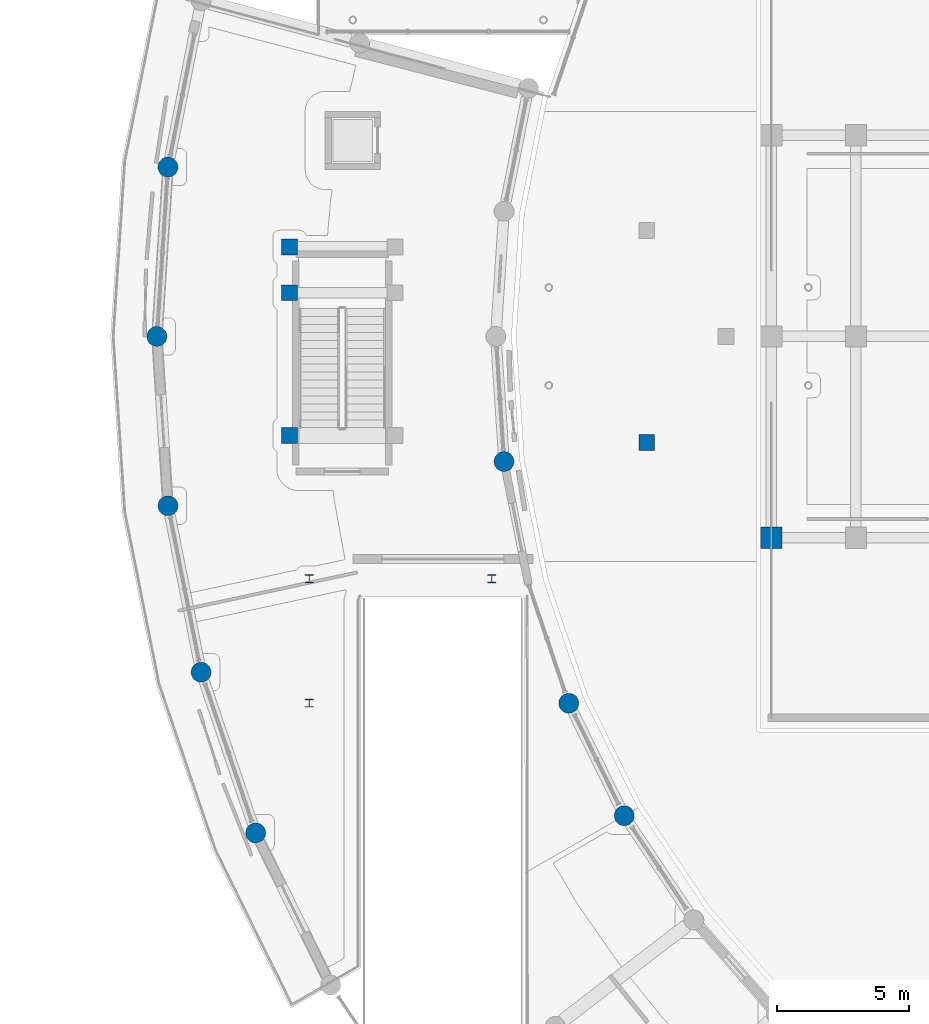
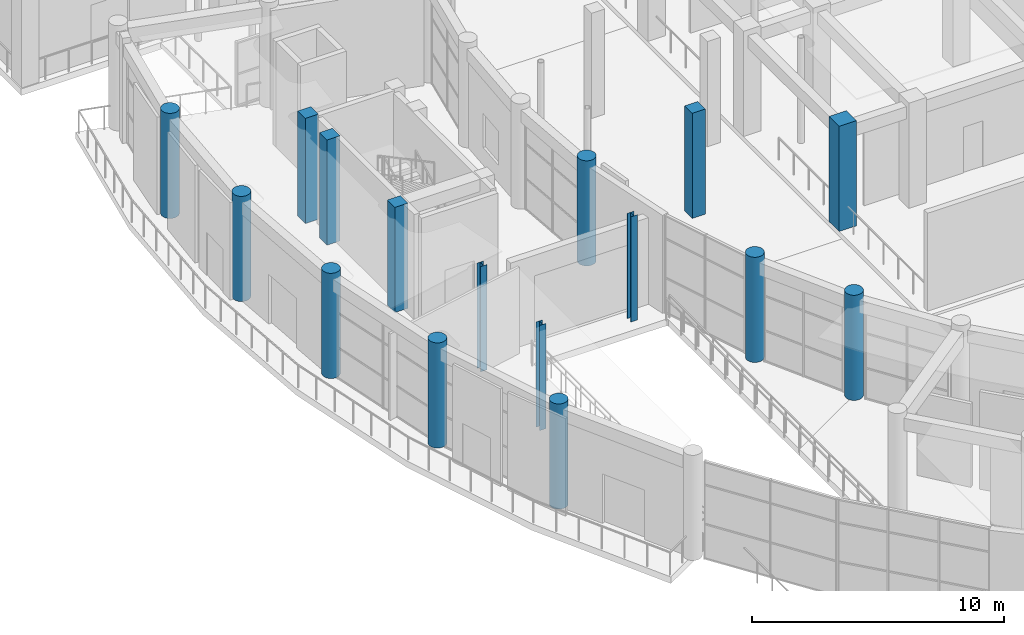
# One storey, part 7 of 99: 16 columns.
"""IFC4 building model written with IfcOpenShell, lengths in metres."""

from ifc_helpers import new_model, si_unit, direction, frame, origin, origin_2d, place, context, subcontext, project, spatial, rectangle, circle, i_section, extrude, material, material_profile, profile_set, type_object, element, save


model = new_model("IFC4")

# Units and contexts
model_context = context("Model", 3, precision=1e-05, world=origin(), true_north=direction((0.0, 1.0)))
body_context = subcontext(model_context, "Body", "Model", "MODEL_VIEW")
ifc_project = project(units=[si_unit("LENGTHUNIT", "METRE"), si_unit("AREAUNIT", "SQUARE_METRE"), si_unit("VOLUMEUNIT", "CUBIC_METRE"), si_unit("PLANEANGLEUNIT", "RADIAN"), si_unit("MASSUNIT", "GRAM", prefix="KILO")], contexts=[model_context])

# Site, building, storey
site_placement = place(None, origin())
site = spatial("IfcSite", under=ifc_project, at=site_placement, CompositionType="ELEMENT")
building_placement = place(site_placement, origin())
building = spatial("IfcBuilding", under=site, at=building_placement, Name="Saryqyr Civic Hall", CompositionType="ELEMENT")
storey_placement = place(building_placement, origin())
storey = spatial("IfcBuildingStorey", under=building, at=storey_placement, Name="L00", CompositionType="ELEMENT", Elevation=0.0)

# Columns
ifc_material_1 = material(Name="Steel S355", Category="steel")
ifc_material_profile_1 = material_profile(ifc_material_1, i_section(OverallWidth=0.300048828125, OverallDepth=0.2900390625, WebThickness=0.008544921875, FlangeThickness=0.013916015625, at=origin_2d()), Name="HEA 300")
ifc_profile_set_1 = profile_set([ifc_material_profile_1], Name="Steel S355")
column_type_1 = type_object("IfcColumnType", Name="STR-COL-HEA300-S355", PredefinedType="COLUMN", material=ifc_profile_set_1)
for number, where, z_axis, x_axis, name in (
    (1, (13.75, 70.14990234375, 0.0), (0.0, 0.0, 1.0), (1.0, 0.0, 0.0), "Column RGV4-COL-1-L00"),
    (2, (20.64990234375, 74.85009765625, 0.0), (0.0, 0.0, 1.0), (1.0, 0.0, 0.0), "Column RGV4-COL-3-L00"),
    (3, (13.75, 74.85009765625, 0.0), (0.0, 0.0, 1.0), (1.0, 0.0, 0.0), "Column RGV4-COL-4-L00"),
):
    element("IfcColumn", number, at=place(storey_placement, frame(where, z_axis=z_axis, x_axis=x_axis)), inside=storey, type_object=column_type_1, Name=name, PredefinedType="COLUMN", context=body_context, shape_type="SweptSolid", body=[
        extrude(i_section(OverallWidth=0.300048828125, OverallDepth=0.2900390625, WebThickness=0.008544921875, FlangeThickness=0.013916015625, at=origin_2d()), origin(), (0.0, 0.0, 1.0), 5.10009765625),
    ])
ifc_material_2 = material(Name="Concrete C40/50", Category="concrete")
ifc_material_profile_2 = material_profile(ifc_material_2, rectangle(XDim=0.60009765625, YDim=0.60009765625, at=origin_2d()), Name="RC 600x600")
ifc_profile_set_2 = profile_set([ifc_material_profile_2], Name="Concrete C40/50")
column_type_2 = type_object("IfcColumnType", Name="STR-COL-RC600-C40", PredefinedType="COLUMN", material=ifc_profile_set_2)
for number, where, z_axis, x_axis, name in (
    (4, (13.010009765625, 80.264892578125, 0.0), (0.0, 0.0, 1.0), (1.0, 0.0, 0.0), "Column ST-4-SCOL-TRMB-L00"),
    (5, (13.010009765625, 85.64990234375, 0.0), (0.0, 0.0, 1.0), (1.0, 0.0, 0.0), "Column ST-4-SCOL-LND1B-L00"),
    (6, (13.010009765625, 87.3798828125, 0.0), (0.0, 0.0, 1.0), (1.0, 0.0, 0.0), "Column ST-4-SCOL-LND2B-L00"),
    (7, (26.5, 80.0, 0.0), (0.0, 0.0, 1.0), (1.0, 0.0, 0.0), "Column V2-XCOL-01-L00"),
):
    element("IfcColumn", number, at=place(storey_placement, frame(where, z_axis=z_axis, x_axis=x_axis)), inside=storey, type_object=column_type_2, Name=name, PredefinedType="COLUMN", context=body_context, shape_type="SweptSolid", body=[
        extrude(rectangle(XDim=0.60009765625, YDim=0.60009765625, at=origin_2d()), origin(), (0.0, 0.0, 1.0), 5.10009765625),
    ])
ifc_material_profile_3 = material_profile(ifc_material_2, rectangle(XDim=0.800048828125, YDim=0.800048828125, at=origin_2d()), Name="RC 800x800")
ifc_profile_set_3 = profile_set([ifc_material_profile_3], Name="Concrete C40/50")
column_type_3 = type_object("IfcColumnType", Name="STR-COL-RC800-C40", PredefinedType="COLUMN", material=ifc_profile_set_3)
column_placement = place(storey_placement, frame((31.199951171875, 76.39990234375, 0.0), z_axis=(0.0, 0.0, 1.0), x_axis=(1.0, 0.0, 0.0)))
element("IfcColumn", 8, at=column_placement, inside=storey, type_object=column_type_3, Name="Column V1-COL-S0P01-L00", PredefinedType="COLUMN", context=body_context, shape_type="SweptSolid", body=[
    extrude(rectangle(XDim=0.800048828125, YDim=0.800048828125, at=origin_2d()), origin(), (0.0, 0.0, 1.0), 5.10009765625),
])
ifc_material_profile_4 = material_profile(ifc_material_2, circle(Radius=0.375, at=origin_2d()), Name="RC D750")
ifc_profile_set_4 = profile_set([ifc_material_profile_4], Name="Concrete C40/50")
column_type_4 = type_object("IfcColumnType", Name="STR-COL-RCD750-EXT", PredefinedType="COLUMN", material=ifc_profile_set_4)
for number, where, z_axis, x_axis, name in (
    (9, (8.419189453125, 90.395751953125, 0.0), (0.0, 0.0, 1.0), (-0.991444861374, 0.13052619222, 0.0), "Column V4-COL-OUT01-L00"),
    (10, (8.0, 84.0, 0.0), (0.0, 0.0, 1.0), (-1.0, 0.0, 0.0), "Column V4-COL-OUT02-L00"),
    (11, (21.109619140625, 79.27490234375, 0.0), (0.0, 0.0, 1.0), (-0.991444861374, -0.13052619222, 0.0), "Column V4-COL-IN03-L00"),
    (12, (8.419189453125, 77.604248046875, 0.0), (0.0, 0.0, 1.0), (-0.991444861374, -0.13052619222, 0.0), "Column V4-COL-OUT03-L00"),
    (13, (9.669677734375, 71.31787109375, 0.0), (0.0, 0.0, 1.0), (-0.965925826289, -0.258819045103, 0.0), "Column V4-COL-OUT04-L00"),
    (14, (23.5556640625, 70.14697265625, 0.0), (0.0, 0.0, 1.0), (-0.923879532511, -0.382683432365, 0.0), "Column V4-COL-IN05-L00"),
    (15, (11.72998046875, 65.24853515625, 0.0), (0.0, 0.0, 1.0), (-0.923879532511, -0.382683432365, 0.0), "Column V4-COL-OUT05-L00"),
    (16, (25.64990234375, 65.89990234375, 0.0), (0.0, 0.0, 1.0), (-0.866025403784, -0.5, 0.0), "Column V4-COL-IN06-L00"),
):
    element("IfcColumn", number, at=place(storey_placement, frame(where, z_axis=z_axis, x_axis=x_axis)), inside=storey, type_object=column_type_4, Name=name, PredefinedType="COLUMN", context=body_context, shape_type="SweptSolid", body=[
        extrude(circle(Radius=0.375, at=origin_2d()), origin(), (0.0, 0.0, 1.0), 5.10009765625),
    ])

save(model, "model.ifc")
